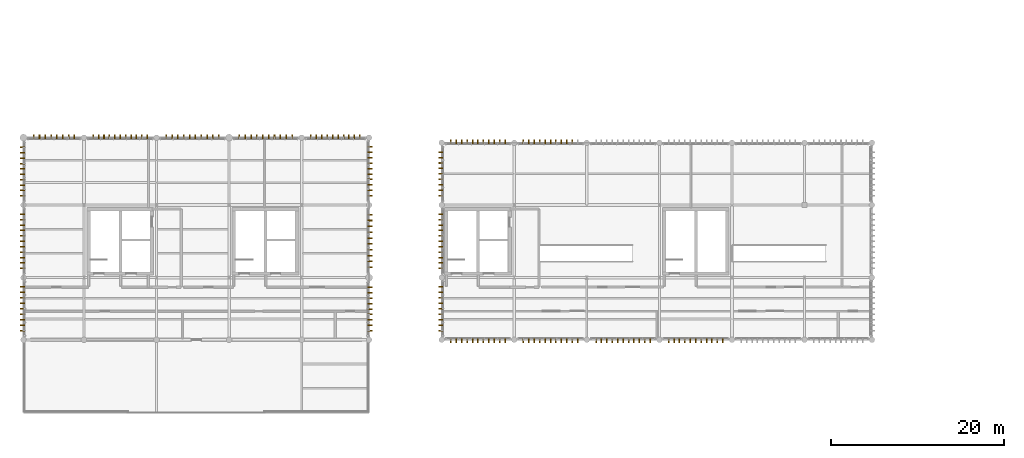
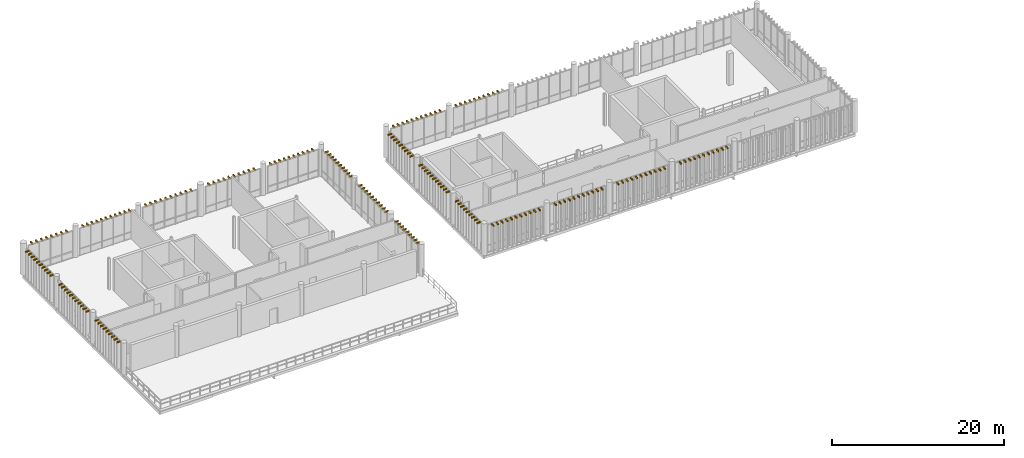
# One storey, part 65 of 66: 202 shading devices.
"""IFC4 building model written with IfcOpenShell, lengths in metres."""

from ifc_helpers import new_model, si_unit, direction, frame, origin_with_axes, origin_2d_with_axis, place, context, subcontext, project, spatial, rectangle, extrude, material, type_object, element, save


model = new_model("IFC4")

# Units and contexts
model_context = context("Model", 3, precision=1e-05, world=origin_with_axes(), true_north=direction((0.0, 1.0)))
body_context = subcontext(model_context, "Body", "Model", "MODEL_VIEW")
ifc_project = project(units=[si_unit("LENGTHUNIT", "METRE"), si_unit("AREAUNIT", "SQUARE_METRE"), si_unit("VOLUMEUNIT", "CUBIC_METRE"), si_unit("PLANEANGLEUNIT", "RADIAN"), si_unit("MASSUNIT", "GRAM", prefix="KILO"), si_unit("THERMODYNAMICTEMPERATUREUNIT", "KELVIN")], contexts=[model_context])

# Site, building, storey
site_placement = place(None, origin_with_axes())
site = spatial("IfcSite", under=ifc_project, at=site_placement, CompositionType="ELEMENT")
building_placement = place(site_placement, origin_with_axes())
building = spatial("IfcBuilding", under=site, at=building_placement, Name="Montbau Bow Law Courts", CompositionType="ELEMENT")
storey_placement = place(building_placement, frame((0.0, 0.0, 34.5), z_axis=(0.0, 0.0, 1.0), x_axis=(1.0, 0.0, 0.0)))
storey = spatial("IfcBuildingStorey", under=building, at=storey_placement, Name="L07", CompositionType="ELEMENT", Elevation=34.5)

# Shading devices
ifc_material_1 = material(Name="Freeze-Thaw Glazed Cream Ceramic Vertical Louvre", Category="masonry")
shading_device_type_1 = type_object("IfcShadingDeviceType", Name="SH-LVR-CRM", PredefinedType="USERDEFINED", material=ifc_material_1)
for number, where, z_axis, x_axis, name in (
    (1, (56.267, 38.89, 38.24), (0.0, 0.0, 1.0), (0.0, -1.0, 0.0), "LVR-L07-2091:shd_2091"),
    (2, (56.893, 38.89, 38.24), (0.0, 0.0, 1.0), (0.0, -1.0, 0.0), "LVR-L07-2092:shd_2092"),
    (3, (57.52, 38.89, 38.24), (0.0, 0.0, 1.0), (0.0, -1.0, 0.0), "LVR-L07-2093:shd_2093"),
    (4, (58.147, 38.89, 38.24), (0.0, 0.0, 1.0), (0.0, -1.0, 0.0), "LVR-L07-2094:shd_2094"),
    (5, (58.773, 38.89, 38.24), (0.0, 0.0, 1.0), (0.0, -1.0, 0.0), "LVR-L07-2095:shd_2095"),
    (6, (59.4, 38.89, 38.24), (0.0, 0.0, 1.0), (0.0, -1.0, 0.0), "LVR-L07-2096:shd_2096"),
    (7, (60.027, 38.89, 38.24), (0.0, 0.0, 1.0), (0.0, -1.0, 0.0), "LVR-L07-2097:shd_2097"),
    (8, (60.653, 38.89, 38.24), (0.0, 0.0, 1.0), (0.0, -1.0, 0.0), "LVR-L07-2098:shd_2098"),
    (9, (61.28, 38.89, 38.24), (0.0, 0.0, 1.0), (0.0, -1.0, 0.0), "LVR-L07-2099:shd_2099"),
    (10, (61.907, 38.89, 38.24), (0.0, 0.0, 1.0), (0.0, -1.0, 0.0), "LVR-L07-2100:shd_2100"),
    (11, (62.533, 38.89, 38.24), (0.0, 0.0, 1.0), (0.0, -1.0, 0.0), "LVR-L07-2101:shd_2101"),
    (12, (64.667, 38.89, 38.24), (0.0, 0.0, 1.0), (0.0, -1.0, 0.0), "LVR-L07-2102:shd_2102"),
    (13, (65.293, 38.89, 38.24), (0.0, 0.0, 1.0), (0.0, -1.0, 0.0), "LVR-L07-2103:shd_2103"),
    (14, (65.92, 38.89, 38.24), (0.0, 0.0, 1.0), (0.0, -1.0, 0.0), "LVR-L07-2104:shd_2104"),
    (15, (66.547, 38.89, 38.24), (0.0, 0.0, 1.0), (0.0, -1.0, 0.0), "LVR-L07-2105:shd_2105"),
    (16, (67.173, 38.89, 38.24), (0.0, 0.0, 1.0), (0.0, -1.0, 0.0), "LVR-L07-2106:shd_2106"),
    (17, (67.8, 38.89, 38.24), (0.0, 0.0, 1.0), (0.0, -1.0, 0.0), "LVR-L07-2107:shd_2107"),
    (18, (68.427, 38.89, 38.24), (0.0, 0.0, 1.0), (0.0, -1.0, 0.0), "LVR-L07-2108:shd_2108"),
    (19, (69.053, 38.89, 38.24), (0.0, 0.0, 1.0), (0.0, -1.0, 0.0), "LVR-L07-2109:shd_2109"),
    (20, (69.68, 38.89, 38.24), (0.0, 0.0, 1.0), (0.0, -1.0, 0.0), "LVR-L07-2110:shd_2110"),
    (21, (70.307, 38.89, 38.24), (0.0, 0.0, 1.0), (0.0, -1.0, 0.0), "LVR-L07-2111:shd_2111"),
    (22, (70.933, 38.89, 38.24), (0.0, 0.0, 1.0), (0.0, -1.0, 0.0), "LVR-L07-2112:shd_2112"),
    (23, (73.067, 38.89, 38.24), (0.0, 0.0, 1.0), (0.0, -1.0, 0.0), "LVR-L07-2113:shd_2113"),
    (24, (73.693, 38.89, 38.24), (0.0, 0.0, 1.0), (0.0, -1.0, 0.0), "LVR-L07-2114:shd_2114"),
    (25, (74.32, 38.89, 38.24), (0.0, 0.0, 1.0), (0.0, -1.0, 0.0), "LVR-L07-2115:shd_2115"),
    (26, (74.947, 38.89, 38.24), (0.0, 0.0, 1.0), (0.0, -1.0, 0.0), "LVR-L07-2116:shd_2116"),
    (27, (75.573, 38.89, 38.24), (0.0, 0.0, 1.0), (0.0, -1.0, 0.0), "LVR-L07-2117:shd_2117"),
    (28, (76.2, 38.89, 38.24), (0.0, 0.0, 1.0), (0.0, -1.0, 0.0), "LVR-L07-2118:shd_2118"),
    (29, (76.827, 38.89, 38.24), (0.0, 0.0, 1.0), (0.0, -1.0, 0.0), "LVR-L07-2119:shd_2119"),
    (30, (77.453, 38.89, 38.24), (0.0, 0.0, 1.0), (0.0, -1.0, 0.0), "LVR-L07-2120:shd_2120"),
    (31, (78.08, 38.89, 38.24), (0.0, 0.0, 1.0), (0.0, -1.0, 0.0), "LVR-L07-2121:shd_2121"),
    (32, (78.707, 38.89, 38.24), (0.0, 0.0, 1.0), (0.0, -1.0, 0.0), "LVR-L07-2122:shd_2122"),
    (33, (79.333, 38.89, 38.24), (0.0, 0.0, 1.0), (0.0, -1.0, 0.0), "LVR-L07-2123:shd_2123"),
    (34, (81.467, 38.89, 38.24), (0.0, 0.0, 1.0), (0.0, -1.0, 0.0), "LVR-L07-2124:shd_2124"),
    (35, (82.093, 38.89, 38.24), (0.0, 0.0, 1.0), (0.0, -1.0, 0.0), "LVR-L07-2125:shd_2125"),
    (36, (82.72, 38.89, 38.24), (0.0, 0.0, 1.0), (0.0, -1.0, 0.0), "LVR-L07-2126:shd_2126"),
    (37, (83.347, 38.89, 38.24), (0.0, 0.0, 1.0), (0.0, -1.0, 0.0), "LVR-L07-2127:shd_2127"),
    (38, (83.973, 38.89, 38.24), (0.0, 0.0, 1.0), (0.0, -1.0, 0.0), "LVR-L07-2128:shd_2128"),
    (39, (84.6, 38.89, 38.24), (0.0, 0.0, 1.0), (0.0, -1.0, 0.0), "LVR-L07-2129:shd_2129"),
    (40, (85.227, 38.89, 38.24), (0.0, 0.0, 1.0), (0.0, -1.0, 0.0), "LVR-L07-2130:shd_2130"),
    (41, (85.853, 38.89, 38.24), (0.0, 0.0, 1.0), (0.0, -1.0, 0.0), "LVR-L07-2131:shd_2131"),
    (42, (86.48, 38.89, 38.24), (0.0, 0.0, 1.0), (0.0, -1.0, 0.0), "LVR-L07-2132:shd_2132"),
    (43, (87.107, 38.89, 38.24), (0.0, 0.0, 1.0), (0.0, -1.0, 0.0), "LVR-L07-2133:shd_2133"),
    (44, (87.733, 38.89, 38.24), (0.0, 0.0, 1.0), (0.0, -1.0, 0.0), "LVR-L07-2134:shd_2134"),
    (45, (56.267, 61.91, 38.24), (0.0, 0.0, 1.0), (0.0, 1.0, 0.0), "LVR-L07-2156:shd_2156"),
    (46, (56.893, 61.91, 38.24), (0.0, 0.0, 1.0), (0.0, 1.0, 0.0), "LVR-L07-2157:shd_2157"),
    (47, (57.52, 61.91, 38.24), (0.0, 0.0, 1.0), (0.0, 1.0, 0.0), "LVR-L07-2158:shd_2158"),
    (48, (58.147, 61.91, 38.24), (0.0, 0.0, 1.0), (0.0, 1.0, 0.0), "LVR-L07-2159:shd_2159"),
    (49, (58.773, 61.91, 38.24), (0.0, 0.0, 1.0), (0.0, 1.0, 0.0), "LVR-L07-2160:shd_2160"),
    (50, (59.4, 61.91, 38.24), (0.0, 0.0, 1.0), (0.0, 1.0, 0.0), "LVR-L07-2161:shd_2161"),
    (51, (60.027, 61.91, 38.24), (0.0, 0.0, 1.0), (0.0, 1.0, 0.0), "LVR-L07-2162:shd_2162"),
    (52, (60.653, 61.91, 38.24), (0.0, 0.0, 1.0), (0.0, 1.0, 0.0), "LVR-L07-2163:shd_2163"),
    (53, (61.28, 61.91, 38.24), (0.0, 0.0, 1.0), (0.0, 1.0, 0.0), "LVR-L07-2164:shd_2164"),
    (54, (61.907, 61.91, 38.24), (0.0, 0.0, 1.0), (0.0, 1.0, 0.0), "LVR-L07-2165:shd_2165"),
    (55, (62.533, 61.91, 38.24), (0.0, 0.0, 1.0), (0.0, 1.0, 0.0), "LVR-L07-2166:shd_2166"),
    (56, (64.667, 61.91, 38.24), (0.0, 0.0, 1.0), (0.0, 1.0, 0.0), "LVR-L07-2167:shd_2167"),
    (57, (65.293, 61.91, 38.24), (0.0, 0.0, 1.0), (0.0, 1.0, 0.0), "LVR-L07-2168:shd_2168"),
    (58, (65.92, 61.91, 38.24), (0.0, 0.0, 1.0), (0.0, 1.0, 0.0), "LVR-L07-2169:shd_2169"),
    (59, (66.547, 61.91, 38.24), (0.0, 0.0, 1.0), (0.0, 1.0, 0.0), "LVR-L07-2170:shd_2170"),
    (60, (67.173, 61.91, 38.24), (0.0, 0.0, 1.0), (0.0, 1.0, 0.0), "LVR-L07-2171:shd_2171"),
    (61, (67.8, 61.91, 38.24), (0.0, 0.0, 1.0), (0.0, 1.0, 0.0), "LVR-L07-2172:shd_2172"),
    (62, (68.427, 61.91, 38.24), (0.0, 0.0, 1.0), (0.0, 1.0, 0.0), "LVR-L07-2173:shd_2173"),
    (63, (69.053, 61.91, 38.24), (0.0, 0.0, 1.0), (0.0, 1.0, 0.0), "LVR-L07-2174:shd_2174"),
    (64, (69.68, 61.91, 38.24), (0.0, 0.0, 1.0), (0.0, 1.0, 0.0), "LVR-L07-2175:shd_2175"),
    (65, (70.307, 61.91, 38.24), (0.0, 0.0, 1.0), (0.0, 1.0, 0.0), "LVR-L07-2176:shd_2176"),
    (66, (55.09, 40.072, 38.24), (0.0, 0.0, 1.0), (-1.0, 0.0, 0.0), "LVR-L07-2221:shd_2221"),
    (67, (55.09, 40.704, 38.24), (0.0, 0.0, 1.0), (-1.0, 0.0, 0.0), "LVR-L07-2222:shd_2222"),
    (68, (55.09, 41.336, 38.24), (0.0, 0.0, 1.0), (-1.0, 0.0, 0.0), "LVR-L07-2223:shd_2223"),
    (69, (55.09, 41.968, 38.24), (0.0, 0.0, 1.0), (-1.0, 0.0, 0.0), "LVR-L07-2224:shd_2224"),
    (70, (55.09, 42.6, 38.24), (0.0, 0.0, 1.0), (-1.0, 0.0, 0.0), "LVR-L07-2225:shd_2225"),
    (71, (55.09, 43.232, 38.24), (0.0, 0.0, 1.0), (-1.0, 0.0, 0.0), "LVR-L07-2226:shd_2226"),
    (72, (55.09, 43.864, 38.24), (0.0, 0.0, 1.0), (-1.0, 0.0, 0.0), "LVR-L07-2227:shd_2227"),
    (73, (55.09, 44.496, 38.24), (0.0, 0.0, 1.0), (-1.0, 0.0, 0.0), "LVR-L07-2228:shd_2228"),
    (74, (55.09, 45.128, 38.24), (0.0, 0.0, 1.0), (-1.0, 0.0, 0.0), "LVR-L07-2229:shd_2229"),
    (75, (55.09, 47.267, 38.24), (0.0, 0.0, 1.0), (-1.0, 0.0, 0.0), "LVR-L07-2230:shd_2230"),
    (76, (55.09, 47.893, 38.24), (0.0, 0.0, 1.0), (-1.0, 0.0, 0.0), "LVR-L07-2231:shd_2231"),
    (77, (55.09, 48.52, 38.24), (0.0, 0.0, 1.0), (-1.0, 0.0, 0.0), "LVR-L07-2232:shd_2232"),
    (78, (55.09, 49.147, 38.24), (0.0, 0.0, 1.0), (-1.0, 0.0, 0.0), "LVR-L07-2233:shd_2233"),
    (79, (55.09, 49.773, 38.24), (0.0, 0.0, 1.0), (-1.0, 0.0, 0.0), "LVR-L07-2234:shd_2234"),
    (80, (55.09, 50.4, 38.24), (0.0, 0.0, 1.0), (-1.0, 0.0, 0.0), "LVR-L07-2235:shd_2235"),
    (81, (55.09, 51.027, 38.24), (0.0, 0.0, 1.0), (-1.0, 0.0, 0.0), "LVR-L07-2236:shd_2236"),
    (82, (55.09, 51.653, 38.24), (0.0, 0.0, 1.0), (-1.0, 0.0, 0.0), "LVR-L07-2237:shd_2237"),
    (83, (55.09, 52.28, 38.24), (0.0, 0.0, 1.0), (-1.0, 0.0, 0.0), "LVR-L07-2238:shd_2238"),
    (84, (55.09, 52.907, 38.24), (0.0, 0.0, 1.0), (-1.0, 0.0, 0.0), "LVR-L07-2239:shd_2239"),
    (85, (55.09, 53.533, 38.24), (0.0, 0.0, 1.0), (-1.0, 0.0, 0.0), "LVR-L07-2240:shd_2240"),
    (86, (55.09, 55.672, 38.24), (0.0, 0.0, 1.0), (-1.0, 0.0, 0.0), "LVR-L07-2241:shd_2241"),
    (87, (55.09, 56.304, 38.24), (0.0, 0.0, 1.0), (-1.0, 0.0, 0.0), "LVR-L07-2242:shd_2242"),
    (88, (55.09, 56.936, 38.24), (0.0, 0.0, 1.0), (-1.0, 0.0, 0.0), "LVR-L07-2243:shd_2243"),
    (89, (55.09, 57.568, 38.24), (0.0, 0.0, 1.0), (-1.0, 0.0, 0.0), "LVR-L07-2244:shd_2244"),
    (90, (55.09, 58.2, 38.24), (0.0, 0.0, 1.0), (-1.0, 0.0, 0.0), "LVR-L07-2245:shd_2245"),
    (91, (55.09, 58.832, 38.24), (0.0, 0.0, 1.0), (-1.0, 0.0, 0.0), "LVR-L07-2246:shd_2246"),
    (92, (55.09, 59.464, 38.24), (0.0, 0.0, 1.0), (-1.0, 0.0, 0.0), "LVR-L07-2247:shd_2247"),
    (93, (55.09, 60.096, 38.24), (0.0, 0.0, 1.0), (-1.0, 0.0, 0.0), "LVR-L07-2248:shd_2248"),
    (94, (55.09, 60.728, 38.24), (0.0, 0.0, 1.0), (-1.0, 0.0, 0.0), "LVR-L07-2249:shd_2249"),
):
    element("IfcShadingDevice", number, at=place(None, frame(where, z_axis=z_axis, x_axis=x_axis)), inside=storey, type_object=shading_device_type_1, Name=name, ObjectType="LOUVRE", PredefinedType="USERDEFINED", context=body_context, shape_type="SweptSolid", body=[
        extrude(rectangle(XDim=0.48, YDim=0.12, at=origin_2d_with_axis()), origin_with_axes(), (0.0, 0.0, 1.0), 0.18),
    ])
ifc_material_2 = material(Name="Freeze-Thaw Glazed Terracotta-Red Ceramic Vertical Louvre", Category="masonry")
shading_device_type_2 = type_object("IfcShadingDeviceType", Name="SH-LVR-RED", PredefinedType="USERDEFINED", material=ifc_material_2)
for number, where, z_axis, x_axis, name in (
    (95, (7.987, 62.51, 38.24), (0.0, 0.0, 1.0), (0.0, 1.0, 0.0), "LVR-L07-0976:shd_0976"),
    (96, (8.658, 62.51, 38.24), (0.0, 0.0, 1.0), (0.0, 1.0, 0.0), "LVR-L07-0977:shd_0977"),
    (97, (9.33, 62.51, 38.24), (0.0, 0.0, 1.0), (0.0, 1.0, 0.0), "LVR-L07-0978:shd_0978"),
    (98, (10.002, 62.51, 38.24), (0.0, 0.0, 1.0), (0.0, 1.0, 0.0), "LVR-L07-0979:shd_0979"),
    (99, (10.673, 62.51, 38.24), (0.0, 0.0, 1.0), (0.0, 1.0, 0.0), "LVR-L07-0980:shd_0980"),
    (100, (11.345, 62.51, 38.24), (0.0, 0.0, 1.0), (0.0, 1.0, 0.0), "LVR-L07-0981:shd_0981"),
    (101, (12.017, 62.51, 38.24), (0.0, 0.0, 1.0), (0.0, 1.0, 0.0), "LVR-L07-0982:shd_0982"),
    (102, (12.688, 62.51, 38.24), (0.0, 0.0, 1.0), (0.0, 1.0, 0.0), "LVR-L07-0983:shd_0983"),
    (103, (14.867, 62.51, 38.24), (0.0, 0.0, 1.0), (0.0, 1.0, 0.0), "LVR-L07-0984:shd_0984"),
    (104, (15.493, 62.51, 38.24), (0.0, 0.0, 1.0), (0.0, 1.0, 0.0), "LVR-L07-0985:shd_0985"),
    (105, (16.12, 62.51, 38.24), (0.0, 0.0, 1.0), (0.0, 1.0, 0.0), "LVR-L07-0986:shd_0986"),
    (106, (16.747, 62.51, 38.24), (0.0, 0.0, 1.0), (0.0, 1.0, 0.0), "LVR-L07-0987:shd_0987"),
    (107, (17.373, 62.51, 38.24), (0.0, 0.0, 1.0), (0.0, 1.0, 0.0), "LVR-L07-0988:shd_0988"),
    (108, (18.0, 62.51, 38.24), (0.0, 0.0, 1.0), (0.0, 1.0, 0.0), "LVR-L07-0989:shd_0989"),
    (109, (18.627, 62.51, 38.24), (0.0, 0.0, 1.0), (0.0, 1.0, 0.0), "LVR-L07-0990:shd_0990"),
    (110, (19.253, 62.51, 38.24), (0.0, 0.0, 1.0), (0.0, 1.0, 0.0), "LVR-L07-0991:shd_0991"),
    (111, (19.88, 62.51, 38.24), (0.0, 0.0, 1.0), (0.0, 1.0, 0.0), "LVR-L07-0992:shd_0992"),
    (112, (20.507, 62.51, 38.24), (0.0, 0.0, 1.0), (0.0, 1.0, 0.0), "LVR-L07-0993:shd_0993"),
    (113, (21.133, 62.51, 38.24), (0.0, 0.0, 1.0), (0.0, 1.0, 0.0), "LVR-L07-0994:shd_0994"),
    (114, (23.317, 62.51, 38.24), (0.0, 0.0, 1.0), (0.0, 1.0, 0.0), "LVR-L07-0995:shd_0995"),
    (115, (23.994, 62.51, 38.24), (0.0, 0.0, 1.0), (0.0, 1.0, 0.0), "LVR-L07-0996:shd_0996"),
    (116, (24.67, 62.51, 38.24), (0.0, 0.0, 1.0), (0.0, 1.0, 0.0), "LVR-L07-0997:shd_0997"),
    (117, (25.347, 62.51, 38.24), (0.0, 0.0, 1.0), (0.0, 1.0, 0.0), "LVR-L07-0998:shd_0998"),
    (118, (26.024, 62.51, 38.24), (0.0, 0.0, 1.0), (0.0, 1.0, 0.0), "LVR-L07-0999:shd_0999"),
    (119, (26.701, 62.51, 38.24), (0.0, 0.0, 1.0), (0.0, 1.0, 0.0), "LVR-L07-1000:shd_1000"),
    (120, (27.378, 62.51, 38.24), (0.0, 0.0, 1.0), (0.0, 1.0, 0.0), "LVR-L07-1001:shd_1001"),
    (121, (28.055, 62.51, 38.24), (0.0, 0.0, 1.0), (0.0, 1.0, 0.0), "LVR-L07-1002:shd_1002"),
    (122, (28.731, 62.51, 38.24), (0.0, 0.0, 1.0), (0.0, 1.0, 0.0), "LVR-L07-1003:shd_1003"),
    (123, (29.408, 62.51, 38.24), (0.0, 0.0, 1.0), (0.0, 1.0, 0.0), "LVR-L07-1004:shd_1004"),
    (124, (31.792, 62.51, 38.24), (0.0, 0.0, 1.0), (0.0, 1.0, 0.0), "LVR-L07-1005:shd_1005"),
    (125, (32.469, 62.51, 38.24), (0.0, 0.0, 1.0), (0.0, 1.0, 0.0), "LVR-L07-1006:shd_1006"),
    (126, (33.145, 62.51, 38.24), (0.0, 0.0, 1.0), (0.0, 1.0, 0.0), "LVR-L07-1007:shd_1007"),
    (127, (33.822, 62.51, 38.24), (0.0, 0.0, 1.0), (0.0, 1.0, 0.0), "LVR-L07-1008:shd_1008"),
    (128, (34.499, 62.51, 38.24), (0.0, 0.0, 1.0), (0.0, 1.0, 0.0), "LVR-L07-1009:shd_1009"),
    (129, (35.176, 62.51, 38.24), (0.0, 0.0, 1.0), (0.0, 1.0, 0.0), "LVR-L07-1010:shd_1010"),
    (130, (35.853, 62.51, 38.24), (0.0, 0.0, 1.0), (0.0, 1.0, 0.0), "LVR-L07-1011:shd_1011"),
    (131, (36.53, 62.51, 38.24), (0.0, 0.0, 1.0), (0.0, 1.0, 0.0), "LVR-L07-1012:shd_1012"),
    (132, (37.206, 62.51, 38.24), (0.0, 0.0, 1.0), (0.0, 1.0, 0.0), "LVR-L07-1013:shd_1013"),
    (133, (37.883, 62.51, 38.24), (0.0, 0.0, 1.0), (0.0, 1.0, 0.0), "LVR-L07-1014:shd_1014"),
    (134, (40.069, 62.51, 38.24), (0.0, 0.0, 1.0), (0.0, 1.0, 0.0), "LVR-L07-1015:shd_1015"),
    (135, (40.698, 62.51, 38.24), (0.0, 0.0, 1.0), (0.0, 1.0, 0.0), "LVR-L07-1016:shd_1016"),
    (136, (41.327, 62.51, 38.24), (0.0, 0.0, 1.0), (0.0, 1.0, 0.0), "LVR-L07-1017:shd_1017"),
    (137, (41.956, 62.51, 38.24), (0.0, 0.0, 1.0), (0.0, 1.0, 0.0), "LVR-L07-1018:shd_1018"),
    (138, (42.585, 62.51, 38.24), (0.0, 0.0, 1.0), (0.0, 1.0, 0.0), "LVR-L07-1019:shd_1019"),
    (139, (43.215, 62.51, 38.24), (0.0, 0.0, 1.0), (0.0, 1.0, 0.0), "LVR-L07-1020:shd_1020"),
    (140, (43.844, 62.51, 38.24), (0.0, 0.0, 1.0), (0.0, 1.0, 0.0), "LVR-L07-1021:shd_1021"),
    (141, (44.473, 62.51, 38.24), (0.0, 0.0, 1.0), (0.0, 1.0, 0.0), "LVR-L07-1022:shd_1022"),
    (142, (45.102, 62.51, 38.24), (0.0, 0.0, 1.0), (0.0, 1.0, 0.0), "LVR-L07-1023:shd_1023"),
    (143, (45.731, 62.51, 38.24), (0.0, 0.0, 1.0), (0.0, 1.0, 0.0), "LVR-L07-1024:shd_1024"),
    (144, (6.69, 40.072, 38.24), (0.0, 0.0, 1.0), (-1.0, 0.0, 0.0), "LVR-L07-1025:shd_1025"),
    (145, (6.69, 40.704, 38.24), (0.0, 0.0, 1.0), (-1.0, 0.0, 0.0), "LVR-L07-1026:shd_1026"),
    (146, (6.69, 41.336, 38.24), (0.0, 0.0, 1.0), (-1.0, 0.0, 0.0), "LVR-L07-1027:shd_1027"),
    (147, (6.69, 41.968, 38.24), (0.0, 0.0, 1.0), (-1.0, 0.0, 0.0), "LVR-L07-1028:shd_1028"),
    (148, (6.69, 42.6, 38.24), (0.0, 0.0, 1.0), (-1.0, 0.0, 0.0), "LVR-L07-1029:shd_1029"),
    (149, (6.69, 43.232, 38.24), (0.0, 0.0, 1.0), (-1.0, 0.0, 0.0), "LVR-L07-1030:shd_1030"),
    (150, (6.69, 43.864, 38.24), (0.0, 0.0, 1.0), (-1.0, 0.0, 0.0), "LVR-L07-1031:shd_1031"),
    (151, (6.69, 44.496, 38.24), (0.0, 0.0, 1.0), (-1.0, 0.0, 0.0), "LVR-L07-1032:shd_1032"),
    (152, (6.69, 45.128, 38.24), (0.0, 0.0, 1.0), (-1.0, 0.0, 0.0), "LVR-L07-1033:shd_1033"),
    (153, (6.69, 47.267, 38.24), (0.0, 0.0, 1.0), (-1.0, 0.0, 0.0), "LVR-L07-1034:shd_1034"),
    (154, (6.69, 47.893, 38.24), (0.0, 0.0, 1.0), (-1.0, 0.0, 0.0), "LVR-L07-1035:shd_1035"),
    (155, (6.69, 48.52, 38.24), (0.0, 0.0, 1.0), (-1.0, 0.0, 0.0), "LVR-L07-1036:shd_1036"),
    (156, (6.69, 49.147, 38.24), (0.0, 0.0, 1.0), (-1.0, 0.0, 0.0), "LVR-L07-1037:shd_1037"),
    (157, (6.69, 49.773, 38.24), (0.0, 0.0, 1.0), (-1.0, 0.0, 0.0), "LVR-L07-1038:shd_1038"),
    (158, (6.69, 50.4, 38.24), (0.0, 0.0, 1.0), (-1.0, 0.0, 0.0), "LVR-L07-1039:shd_1039"),
    (159, (6.69, 51.027, 38.24), (0.0, 0.0, 1.0), (-1.0, 0.0, 0.0), "LVR-L07-1040:shd_1040"),
    (160, (6.69, 51.653, 38.24), (0.0, 0.0, 1.0), (-1.0, 0.0, 0.0), "LVR-L07-1041:shd_1041"),
    (161, (6.69, 52.28, 38.24), (0.0, 0.0, 1.0), (-1.0, 0.0, 0.0), "LVR-L07-1042:shd_1042"),
    (162, (6.69, 52.907, 38.24), (0.0, 0.0, 1.0), (-1.0, 0.0, 0.0), "LVR-L07-1043:shd_1043"),
    (163, (6.69, 53.533, 38.24), (0.0, 0.0, 1.0), (-1.0, 0.0, 0.0), "LVR-L07-1044:shd_1044"),
    (164, (6.69, 55.662, 38.24), (0.0, 0.0, 1.0), (-1.0, 0.0, 0.0), "LVR-L07-1045:shd_1045"),
    (165, (6.69, 56.285, 38.24), (0.0, 0.0, 1.0), (-1.0, 0.0, 0.0), "LVR-L07-1046:shd_1046"),
    (166, (6.69, 56.907, 38.24), (0.0, 0.0, 1.0), (-1.0, 0.0, 0.0), "LVR-L07-1047:shd_1047"),
    (167, (6.69, 57.529, 38.24), (0.0, 0.0, 1.0), (-1.0, 0.0, 0.0), "LVR-L07-1048:shd_1048"),
    (168, (6.69, 58.151, 38.24), (0.0, 0.0, 1.0), (-1.0, 0.0, 0.0), "LVR-L07-1049:shd_1049"),
    (169, (6.69, 58.774, 38.24), (0.0, 0.0, 1.0), (-1.0, 0.0, 0.0), "LVR-L07-1050:shd_1050"),
    (170, (6.69, 59.396, 38.24), (0.0, 0.0, 1.0), (-1.0, 0.0, 0.0), "LVR-L07-1051:shd_1051"),
    (171, (6.69, 60.018, 38.24), (0.0, 0.0, 1.0), (-1.0, 0.0, 0.0), "LVR-L07-1052:shd_1052"),
    (172, (6.69, 60.64, 38.24), (0.0, 0.0, 1.0), (-1.0, 0.0, 0.0), "LVR-L07-1053:shd_1053"),
    (173, (6.69, 61.263, 38.24), (0.0, 0.0, 1.0), (-1.0, 0.0, 0.0), "LVR-L07-1054:shd_1054"),
    (174, (46.91, 40.065, 38.24), (0.0, 0.0, 1.0), (1.0, 0.0, 0.0), "LVR-L07-1055:shd_1055"),
    (175, (46.91, 40.689, 38.24), (0.0, 0.0, 1.0), (1.0, 0.0, 0.0), "LVR-L07-1056:shd_1056"),
    (176, (46.91, 41.314, 38.24), (0.0, 0.0, 1.0), (1.0, 0.0, 0.0), "LVR-L07-1057:shd_1057"),
    (177, (46.91, 41.938, 38.24), (0.0, 0.0, 1.0), (1.0, 0.0, 0.0), "LVR-L07-1058:shd_1058"),
    (178, (46.91, 42.563, 38.24), (0.0, 0.0, 1.0), (1.0, 0.0, 0.0), "LVR-L07-1059:shd_1059"),
    (179, (46.91, 43.187, 38.24), (0.0, 0.0, 1.0), (1.0, 0.0, 0.0), "LVR-L07-1060:shd_1060"),
    (180, (46.91, 43.812, 38.24), (0.0, 0.0, 1.0), (1.0, 0.0, 0.0), "LVR-L07-1061:shd_1061"),
    (181, (46.91, 44.436, 38.24), (0.0, 0.0, 1.0), (1.0, 0.0, 0.0), "LVR-L07-1062:shd_1062"),
    (182, (46.91, 45.061, 38.24), (0.0, 0.0, 1.0), (1.0, 0.0, 0.0), "LVR-L07-1063:shd_1063"),
    (183, (46.91, 47.392, 38.24), (0.0, 0.0, 1.0), (1.0, 0.0, 0.0), "LVR-L07-1064:shd_1064"),
    (184, (46.91, 48.069, 38.24), (0.0, 0.0, 1.0), (1.0, 0.0, 0.0), "LVR-L07-1065:shd_1065"),
    (185, (46.91, 48.745, 38.24), (0.0, 0.0, 1.0), (1.0, 0.0, 0.0), "LVR-L07-1066:shd_1066"),
    (186, (46.91, 49.422, 38.24), (0.0, 0.0, 1.0), (1.0, 0.0, 0.0), "LVR-L07-1067:shd_1067"),
    (187, (46.91, 50.099, 38.24), (0.0, 0.0, 1.0), (1.0, 0.0, 0.0), "LVR-L07-1068:shd_1068"),
    (188, (46.91, 50.776, 38.24), (0.0, 0.0, 1.0), (1.0, 0.0, 0.0), "LVR-L07-1069:shd_1069"),
    (189, (46.91, 51.453, 38.24), (0.0, 0.0, 1.0), (1.0, 0.0, 0.0), "LVR-L07-1070:shd_1070"),
    (190, (46.91, 52.13, 38.24), (0.0, 0.0, 1.0), (1.0, 0.0, 0.0), "LVR-L07-1071:shd_1071"),
    (191, (46.91, 52.806, 38.24), (0.0, 0.0, 1.0), (1.0, 0.0, 0.0), "LVR-L07-1072:shd_1072"),
    (192, (46.91, 53.483, 38.24), (0.0, 0.0, 1.0), (1.0, 0.0, 0.0), "LVR-L07-1073:shd_1073"),
    (193, (46.91, 55.669, 38.24), (0.0, 0.0, 1.0), (1.0, 0.0, 0.0), "LVR-L07-1074:shd_1074"),
    (194, (46.91, 56.298, 38.24), (0.0, 0.0, 1.0), (1.0, 0.0, 0.0), "LVR-L07-1075:shd_1075"),
    (195, (46.91, 56.927, 38.24), (0.0, 0.0, 1.0), (1.0, 0.0, 0.0), "LVR-L07-1076:shd_1076"),
    (196, (46.91, 57.556, 38.24), (0.0, 0.0, 1.0), (1.0, 0.0, 0.0), "LVR-L07-1077:shd_1077"),
    (197, (46.91, 58.185, 38.24), (0.0, 0.0, 1.0), (1.0, 0.0, 0.0), "LVR-L07-1078:shd_1078"),
    (198, (46.91, 58.815, 38.24), (0.0, 0.0, 1.0), (1.0, 0.0, 0.0), "LVR-L07-1079:shd_1079"),
    (199, (46.91, 59.444, 38.24), (0.0, 0.0, 1.0), (1.0, 0.0, 0.0), "LVR-L07-1080:shd_1080"),
    (200, (46.91, 60.073, 38.24), (0.0, 0.0, 1.0), (1.0, 0.0, 0.0), "LVR-L07-1081:shd_1081"),
    (201, (46.91, 60.702, 38.24), (0.0, 0.0, 1.0), (1.0, 0.0, 0.0), "LVR-L07-1082:shd_1082"),
    (202, (46.91, 61.331, 38.24), (0.0, 0.0, 1.0), (1.0, 0.0, 0.0), "LVR-L07-1083:shd_1083"),
):
    element("IfcShadingDevice", number, at=place(None, frame(where, z_axis=z_axis, x_axis=x_axis)), inside=storey, type_object=shading_device_type_2, Name=name, ObjectType="LOUVRE", PredefinedType="USERDEFINED", context=body_context, shape_type="SweptSolid", body=[
        extrude(rectangle(XDim=0.48, YDim=0.12, at=origin_2d_with_axis()), origin_with_axes(), (0.0, 0.0, 1.0), 0.18),
    ])

save(model, "model.ifc")
